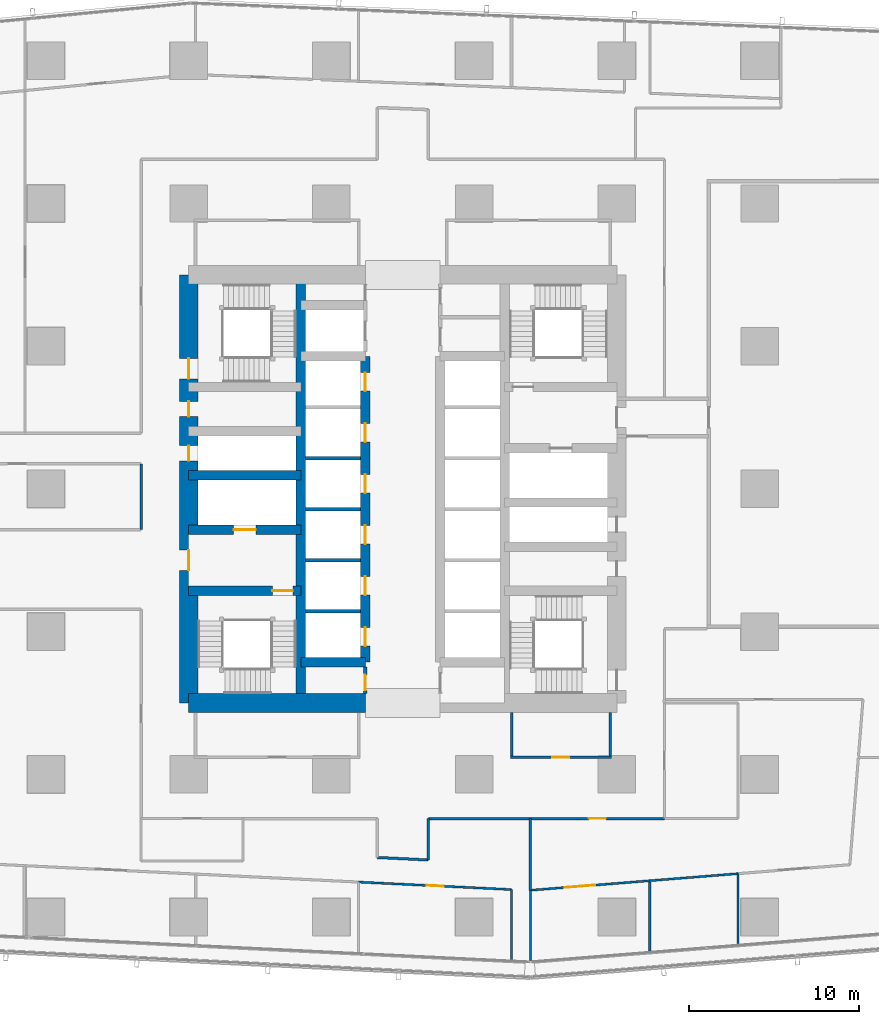
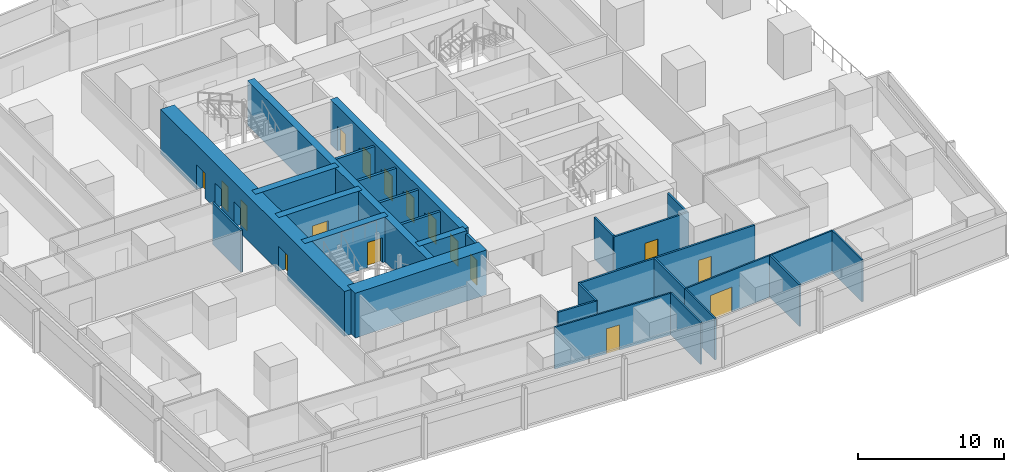
# One storey, part 30 of 42: 29 walls, 17 doors, 17 openings.
"""IFC4 building model written with IfcOpenShell, lengths in metres."""

from ifc_helpers import new_model, si_unit, direction, frame, frame_2d, origin, place, context, subcontext, project, spatial, rectangle, extrude, material, layer, layer_set, type_object, element, fill, save


model = new_model("IFC4")

# Units and contexts
model_context = context("Model", 3, precision=1e-05, world=origin(), true_north=direction((0.0, 1.0)))
body_context = subcontext(model_context, "Body", "Model", "MODEL_VIEW")
ifc_project = project(units=[si_unit("LENGTHUNIT", "METRE"), si_unit("AREAUNIT", "SQUARE_METRE"), si_unit("VOLUMEUNIT", "CUBIC_METRE"), si_unit("PLANEANGLEUNIT", "RADIAN"), si_unit("MASSUNIT", "GRAM", prefix="KILO")], contexts=[model_context])

# Site, building, storey
site_placement = place(None, origin())
site = spatial("IfcSite", under=ifc_project, at=site_placement, CompositionType="ELEMENT")
building_placement = place(site_placement, origin())
building = spatial("IfcBuilding", under=site, at=building_placement, Name="Rekha Terrace Tower", CompositionType="ELEMENT")
storey_placement = place(building_placement, frame((0.0, 0.0, 40.39990234375)))
storey = spatial("IfcBuildingStorey", under=building, at=storey_placement, Name="L09", CompositionType="ELEMENT", Elevation=40.39990234375)

# Wall
ifc_material_1 = material(Name="Concrete M70", Category="concrete")
ifc_layer_1 = layer(ifc_material_1, 0.550048828125)
ifc_layer_set_1 = layer_set([ifc_layer_1], Name="Concrete M70")
wall_type_1 = type_object("IfcWallType", Name="CI1 550 core internal shear wall", PredefinedType="SHEAR", material=ifc_layer_set_1)
wall_1_placement = place(storey_placement, frame((31.800048828125, 21.0, 0.0), z_axis=(0.0, 0.0, 1.0), x_axis=(0.0, 1.0, 0.0)))
element("IfcWall", 1, at=wall_1_placement, inside=storey, type_object=wall_type_1, Name="Core wall X318 L09", PredefinedType="SHEAR", context=body_context, shape_type="SweptSolid", body=[
    extrude(rectangle(XDim=25.199951171875, YDim=0.550048828125, at=frame_2d((12.60009765625, 0.0))), origin(), (0.0, 0.0, 1.0), 3.75),
])

# Wall, openings, doors
wall_2_placement = place(storey_placement, frame((35.60009765625, 23.39990234375, 0.0), z_axis=(0.0, 0.0, 1.0), x_axis=(0.0, 1.0, 0.0)))
wall_2 = element("IfcWall", 2, at=wall_2_placement, inside=storey, type_object=wall_type_1, Name="Core wall X356 L09", PredefinedType="SHEAR", context=body_context, shape_type="SweptSolid", body=[
    extrude(rectangle(XDim=18.0, YDim=0.550048828125, at=frame_2d((9.0, 0.0))), origin(), (0.0, 0.0, 1.0), 3.75),
])
opening_1_placement = place(wall_2_placement, frame((0.949951171875, 0.0, 0.0)))
opening_1 = element("IfcOpeningElement", 3, at=opening_1_placement, cuts=wall_2, Name="Opening LD1", PredefinedType="OPENING", context=body_context, shape_type="SweptSolid", body=[
    extrude(rectangle(XDim=1.10009765625, YDim=2.10009765625, at=frame_2d((0.550048828125, 1.050048828125))), frame((0.0, 0.284912109375, 0.0), z_axis=(0.0, -1.0, 0.0), x_axis=(1.0, 0.0, 0.0)), (0.0, 0.0, 1.0), 0.570068359375),
])
opening_2_placement = place(wall_2_placement, frame((3.949951171875, 0.0, 0.0)))
opening_2 = element("IfcOpeningElement", 4, at=opening_2_placement, cuts=wall_2, Name="Opening LD1", PredefinedType="OPENING", context=body_context, shape_type="SweptSolid", body=[
    extrude(rectangle(XDim=1.10009765625, YDim=2.10009765625, at=frame_2d((0.550048828125, 1.050048828125))), frame((0.0, 0.284912109375, 0.0), z_axis=(0.0, -1.0, 0.0), x_axis=(1.0, 0.0, 0.0)), (0.0, 0.0, 1.0), 0.570068359375),
])
opening_3_placement = place(wall_2_placement, frame((6.949951171875, 0.0, 0.0)))
opening_3 = element("IfcOpeningElement", 5, at=opening_3_placement, cuts=wall_2, Name="Opening LD1", PredefinedType="OPENING", context=body_context, shape_type="SweptSolid", body=[
    extrude(rectangle(XDim=1.10009765625, YDim=2.10009765625, at=frame_2d((0.550048828125, 1.050048828125))), frame((0.0, 0.284912109375, 0.0), z_axis=(0.0, -1.0, 0.0), x_axis=(1.0, 0.0, 0.0)), (0.0, 0.0, 1.0), 0.570068359375),
])
opening_4_placement = place(wall_2_placement, frame((9.949951171875, 0.0, 0.0)))
opening_4 = element("IfcOpeningElement", 6, at=opening_4_placement, cuts=wall_2, Name="Opening LD1", PredefinedType="OPENING", context=body_context, shape_type="SweptSolid", body=[
    extrude(rectangle(XDim=1.10009765625, YDim=2.10009765625, at=frame_2d((0.550048828125, 1.050048828125))), frame((0.0, 0.284912109375, 0.0), z_axis=(0.0, -1.0, 0.0), x_axis=(1.0, 0.0, 0.0)), (0.0, 0.0, 1.0), 0.570068359375),
])
opening_5_placement = place(wall_2_placement, frame((12.949951171875, 0.0, 0.0)))
opening_5 = element("IfcOpeningElement", 7, at=opening_5_placement, cuts=wall_2, Name="Opening LD1", PredefinedType="OPENING", context=body_context, shape_type="SweptSolid", body=[
    extrude(rectangle(XDim=1.10009765625, YDim=2.10009765625, at=frame_2d((0.550048828125, 1.050048828125))), frame((0.0, 0.284912109375, 0.0), z_axis=(0.0, -1.0, 0.0), x_axis=(1.0, 0.0, 0.0)), (0.0, 0.0, 1.0), 0.570068359375),
])
opening_6_placement = place(wall_2_placement, frame((15.949951171875, 0.0, 0.0)))
opening_6 = element("IfcOpeningElement", 8, at=opening_6_placement, cuts=wall_2, Name="Opening LD1", PredefinedType="OPENING", context=body_context, shape_type="SweptSolid", body=[
    extrude(rectangle(XDim=1.10009765625, YDim=2.10009765625, at=frame_2d((0.550048828125, 1.050048828125))), frame((0.0, 0.284912109375, 0.0), z_axis=(0.0, -1.0, 0.0), x_axis=(1.0, 0.0, 0.0)), (0.0, 0.0, 1.0), 0.570068359375),
])
ifc_material_2 = material(Name="Stainless steel sliding landing door", Category="steel")
door_type_1 = type_object("IfcDoorType", Name="LD1 1100x2100 lift landing door", OperationType="SLIDING_TO_LEFT", PredefinedType="USERDEFINED", material=ifc_material_2)
door_1_placement = place(opening_1_placement, origin())
door_1 = element("IfcDoor", 9, at=door_1_placement, inside=storey, type_object=door_type_1, Name="Lift A1 landing door L09", ObjectType="LIFT LANDING DOOR", OperationType="SLIDING_TO_LEFT", OverallHeight=2.10009765625, OverallWidth=1.10009765625, PredefinedType="USERDEFINED", context=body_context, shape_type="SweptSolid", body=[
    extrude(rectangle(XDim=1.10009765625, YDim=2.10009765625, at=frame_2d((0.550048828125, 1.050048828125))), frame((0.0, 0.02490234375, 0.0), z_axis=(0.0, -1.0, 0.0), x_axis=(1.0, 0.0, 0.0)), (0.0, 0.0, 1.0), 0.050048828125),
])
fill(opening_1, door_1)
door_2_placement = place(opening_2_placement, origin())
door_2 = element("IfcDoor", 10, at=door_2_placement, inside=storey, type_object=door_type_1, Name="Lift A2 landing door L09", ObjectType="LIFT LANDING DOOR", OperationType="SLIDING_TO_LEFT", OverallHeight=2.10009765625, OverallWidth=1.10009765625, PredefinedType="USERDEFINED", context=body_context, shape_type="SweptSolid", body=[
    extrude(rectangle(XDim=1.10009765625, YDim=2.10009765625, at=frame_2d((0.550048828125, 1.050048828125))), frame((0.0, 0.02490234375, 0.0), z_axis=(0.0, -1.0, 0.0), x_axis=(1.0, 0.0, 0.0)), (0.0, 0.0, 1.0), 0.050048828125),
])
fill(opening_2, door_2)
door_3_placement = place(opening_3_placement, origin())
door_3 = element("IfcDoor", 11, at=door_3_placement, inside=storey, type_object=door_type_1, Name="Lift A3 landing door L09", ObjectType="LIFT LANDING DOOR", OperationType="SLIDING_TO_LEFT", OverallHeight=2.10009765625, OverallWidth=1.10009765625, PredefinedType="USERDEFINED", context=body_context, shape_type="SweptSolid", body=[
    extrude(rectangle(XDim=1.10009765625, YDim=2.10009765625, at=frame_2d((0.550048828125, 1.050048828125))), frame((0.0, 0.02490234375, 0.0), z_axis=(0.0, -1.0, 0.0), x_axis=(1.0, 0.0, 0.0)), (0.0, 0.0, 1.0), 0.050048828125),
])
fill(opening_3, door_3)
door_4_placement = place(opening_4_placement, origin())
door_4 = element("IfcDoor", 12, at=door_4_placement, inside=storey, type_object=door_type_1, Name="Lift A4 landing door L09", ObjectType="LIFT LANDING DOOR", OperationType="SLIDING_TO_LEFT", OverallHeight=2.10009765625, OverallWidth=1.10009765625, PredefinedType="USERDEFINED", context=body_context, shape_type="SweptSolid", body=[
    extrude(rectangle(XDim=1.10009765625, YDim=2.10009765625, at=frame_2d((0.550048828125, 1.050048828125))), frame((0.0, 0.02490234375, 0.0), z_axis=(0.0, -1.0, 0.0), x_axis=(1.0, 0.0, 0.0)), (0.0, 0.0, 1.0), 0.050048828125),
])
fill(opening_4, door_4)
door_5_placement = place(opening_5_placement, origin())
door_5 = element("IfcDoor", 13, at=door_5_placement, inside=storey, type_object=door_type_1, Name="Lift A5 landing door L09", ObjectType="LIFT LANDING DOOR", OperationType="SLIDING_TO_LEFT", OverallHeight=2.10009765625, OverallWidth=1.10009765625, PredefinedType="USERDEFINED", context=body_context, shape_type="SweptSolid", body=[
    extrude(rectangle(XDim=1.10009765625, YDim=2.10009765625, at=frame_2d((0.550048828125, 1.050048828125))), frame((0.0, 0.02490234375, 0.0), z_axis=(0.0, -1.0, 0.0), x_axis=(1.0, 0.0, 0.0)), (0.0, 0.0, 1.0), 0.050048828125),
])
fill(opening_5, door_5)
door_6_placement = place(opening_6_placement, origin())
door_6 = element("IfcDoor", 14, at=door_6_placement, inside=storey, type_object=door_type_1, Name="Lift A6 landing door L09", ObjectType="LIFT LANDING DOOR", OperationType="SLIDING_TO_LEFT", OverallHeight=2.10009765625, OverallWidth=1.10009765625, PredefinedType="USERDEFINED", context=body_context, shape_type="SweptSolid", body=[
    extrude(rectangle(XDim=1.10009765625, YDim=2.10009765625, at=frame_2d((0.550048828125, 1.050048828125))), frame((0.0, 0.02490234375, 0.0), z_axis=(0.0, -1.0, 0.0), x_axis=(1.0, 0.0, 0.0)), (0.0, 0.0, 1.0), 0.050048828125),
])
fill(opening_6, door_6)

# Wall
wall_3_placement = place(storey_placement, frame((31.800048828125, 23.39990234375, 0.0), z_axis=(0.0, 0.0, 1.0), x_axis=(1.0, 0.0, 0.0)))
element("IfcWall", 15, at=wall_3_placement, inside=storey, type_object=wall_type_1, Name="Core wall Y234W L09", PredefinedType="SHEAR", context=body_context, shape_type="SweptSolid", body=[
    extrude(rectangle(XDim=3.800048828125, YDim=0.550048828125, at=frame_2d((1.89990234375, 0.0))), origin(), (0.0, 0.0, 1.0), 3.75),
])

# Wall, opening, door
wall_4_placement = place(storey_placement, frame((25.199951171875, 27.60009765625, 0.0), z_axis=(0.0, 0.0, 1.0), x_axis=(1.0, 0.0, 0.0)))
wall_4 = element("IfcWall", 16, at=wall_4_placement, inside=storey, type_object=wall_type_1, Name="Core wall Y276W L09", PredefinedType="SHEAR", context=body_context, shape_type="SweptSolid", body=[
    extrude(rectangle(XDim=6.60009765625, YDim=0.550048828125, at=frame_2d((3.300048828125, 0.0))), origin(), (0.0, 0.0, 1.0), 3.75),
])
opening_7_placement = place(wall_4_placement, frame((4.925048828125, 0.0, 0.0)))
opening_7 = element("IfcOpeningElement", 17, at=opening_7_placement, cuts=wall_4, Name="Opening D1", PredefinedType="OPENING", context=body_context, shape_type="SweptSolid", body=[
    extrude(rectangle(XDim=1.199951171875, YDim=2.10009765625, at=frame_2d((0.60009765625, 1.050048828125))), frame((0.0, 0.284912109375, 0.0), z_axis=(0.0, -1.0, 0.0), x_axis=(1.0, 0.0, 0.0)), (0.0, 0.0, 1.0), 0.570068359375),
])
ifc_material_3 = material(Name="Steel fire door", Category="steel")
door_type_2 = type_object("IfcDoorType", Name="D1 1200x2100 stair fire door", OperationType="SINGLE_SWING_RIGHT", PredefinedType="DOOR", material=ifc_material_3)
door_7_placement = place(opening_7_placement, origin())
door_7 = element("IfcDoor", 18, at=door_7_placement, inside=storey, type_object=door_type_2, Name="Stair ST1 door L09", OperationType="SINGLE_SWING_RIGHT", OverallHeight=2.10009765625, OverallWidth=1.199951171875, PredefinedType="DOOR", context=body_context, shape_type="SweptSolid", body=[
    extrude(rectangle(XDim=1.199951171875, YDim=2.10009765625, at=frame_2d((0.60009765625, 1.050048828125))), frame((0.0, 0.02490234375, 0.0), z_axis=(0.0, -1.0, 0.0), x_axis=(1.0, 0.0, 0.0)), (0.0, 0.0, 1.0), 0.050048828125),
])
fill(opening_7, door_7)

wall_5_placement = place(storey_placement, frame((25.199951171875, 31.199951171875, 0.0), z_axis=(0.0, 0.0, 1.0), x_axis=(1.0, 0.0, 0.0)))
wall_5 = element("IfcWall", 19, at=wall_5_placement, inside=storey, type_object=wall_type_1, Name="Core wall Y312W L09", PredefinedType="SHEAR", context=body_context, shape_type="SweptSolid", body=[
    extrude(rectangle(XDim=6.60009765625, YDim=0.550048828125, at=frame_2d((3.300048828125, 0.0))), origin(), (0.0, 0.0, 1.0), 3.75),
])
opening_8_placement = place(wall_5_placement, frame((2.64990234375, 0.0, 0.0)))
opening_8 = element("IfcOpeningElement", 20, at=opening_8_placement, cuts=wall_5, Name="Opening LD2", PredefinedType="OPENING", context=body_context, shape_type="SweptSolid", body=[
    extrude(rectangle(XDim=1.300048828125, YDim=2.10009765625, at=frame_2d((0.64990234375, 1.050048828125))), frame((0.0, 0.284912109375, 0.0), z_axis=(0.0, -1.0, 0.0), x_axis=(1.0, 0.0, 0.0)), (0.0, 0.0, 1.0), 0.570068359375),
])
door_type_3 = type_object("IfcDoorType", Name="LD2 1300x2100 fire lift landing door", OperationType="SLIDING_TO_LEFT", PredefinedType="USERDEFINED", material=ifc_material_2)
door_8_placement = place(opening_8_placement, origin())
door_8 = element("IfcDoor", 21, at=door_8_placement, inside=storey, type_object=door_type_3, Name="Lift FL1 landing door L09", ObjectType="LIFT LANDING DOOR", OperationType="SLIDING_TO_LEFT", OverallHeight=2.10009765625, OverallWidth=1.300048828125, PredefinedType="USERDEFINED", context=body_context, shape_type="SweptSolid", body=[
    extrude(rectangle(XDim=1.300048828125, YDim=2.10009765625, at=frame_2d((0.64990234375, 1.050048828125))), frame((0.0, 0.02490234375, 0.0), z_axis=(0.0, -1.0, 0.0), x_axis=(1.0, 0.0, 0.0)), (0.0, 0.0, 1.0), 0.050048828125),
])
fill(opening_8, door_8)

# Walls
wall_6_placement = place(storey_placement, frame((25.199951171875, 34.39990234375, 0.0), z_axis=(0.0, 0.0, 1.0), x_axis=(1.0, 0.0, 0.0)))
element("IfcWall", 22, at=wall_6_placement, inside=storey, type_object=wall_type_1, Name="Core wall Y344W L09", PredefinedType="SHEAR", context=body_context, shape_type="SweptSolid", body=[
    extrude(rectangle(XDim=6.60009765625, YDim=0.550048828125, at=frame_2d((3.300048828125, 0.0))), origin(), (0.0, 0.0, 1.0), 3.75),
])
ifc_layer_2 = layer(ifc_material_1, 1.10009765625)
ifc_layer_set_2 = layer_set([ifc_layer_2], Name="Concrete M70")
wall_type_2 = type_object("IfcWallType", Name="SW1 1100 core outer shear wall", PredefinedType="SHEAR", material=ifc_layer_set_2)
wall_7_placement = place(storey_placement, frame((25.199951171875, 21.0, 0.0), z_axis=(0.0, 0.0, 1.0), x_axis=(1.0, 0.0, 0.0)))
element("IfcWall", 23, at=wall_7_placement, inside=storey, type_object=wall_type_2, Name="Core wall S1 L09", PredefinedType="SHEAR", context=body_context, shape_type="SweptSolid", body=[
    extrude(rectangle(XDim=10.400146484375, YDim=1.10009765625, at=frame_2d((5.2001953125, 0.0))), origin(), (0.0, 0.0, 1.0), 3.75),
])

# Wall, openings, doors
wall_8_placement = place(storey_placement, frame((25.199951171875, 21.0, 0.0), z_axis=(0.0, 0.0, 1.0), x_axis=(0.0, 1.0, 0.0)))
wall_8 = element("IfcWall", 24, at=wall_8_placement, inside=storey, type_object=wall_type_2, Name="Core wall W L09", PredefinedType="SHEAR", context=body_context, shape_type="SweptSolid", body=[
    extrude(rectangle(XDim=25.199951171875, YDim=1.10009765625, at=frame_2d((12.60009765625, 0.0))), origin(), (0.0, 0.0, 1.0), 3.75),
])
opening_9_placement = place(wall_8_placement, frame((7.800048828125, 0.0, 0.0)))
opening_9 = element("IfcOpeningElement", 25, at=opening_9_placement, cuts=wall_8, Name="Opening D2", PredefinedType="OPENING", context=body_context, shape_type="SweptSolid", body=[
    extrude(rectangle(XDim=1.199951171875, YDim=2.10009765625, at=frame_2d((0.60009765625, 1.050048828125))), frame((0.0, 0.56005859375, 0.0), z_axis=(0.0, -1.0, 0.0), x_axis=(1.0, 0.0, 0.0)), (0.0, 0.0, 1.0), 1.1201171875),
])
opening_10_placement = place(wall_8_placement, frame((14.25, 0.0, 0.0)))
opening_10 = element("IfcOpeningElement", 26, at=opening_10_placement, cuts=wall_8, Name="Opening D5", PredefinedType="OPENING", context=body_context, shape_type="SweptSolid", body=[
    extrude(rectangle(XDim=0.89990234375, YDim=2.10009765625, at=frame_2d((0.449951171875, 1.050048828125))), frame((0.0, 0.56005859375, 0.0), z_axis=(0.0, -1.0, 0.0), x_axis=(1.0, 0.0, 0.0)), (0.0, 0.0, 1.0), 1.1201171875),
])
opening_11_placement = place(wall_8_placement, frame((16.85009765625, 0.0, 0.0)))
opening_11 = element("IfcOpeningElement", 27, at=opening_11_placement, cuts=wall_8, Name="Opening D5", PredefinedType="OPENING", context=body_context, shape_type="SweptSolid", body=[
    extrude(rectangle(XDim=0.89990234375, YDim=2.10009765625, at=frame_2d((0.449951171875, 1.050048828125))), frame((0.0, 0.56005859375, 0.0), z_axis=(0.0, -1.0, 0.0), x_axis=(1.0, 0.0, 0.0)), (0.0, 0.0, 1.0), 1.1201171875),
])
opening_12_placement = place(wall_8_placement, frame((19.074951171875, 0.0, 0.0)))
opening_12 = element("IfcOpeningElement", 28, at=opening_12_placement, cuts=wall_8, Name="Opening D1", PredefinedType="OPENING", context=body_context, shape_type="SweptSolid", body=[
    extrude(rectangle(XDim=1.199951171875, YDim=2.10009765625, at=frame_2d((0.60009765625, 1.050048828125))), frame((0.0, 0.56005859375, 0.0), z_axis=(0.0, -1.0, 0.0), x_axis=(1.0, 0.0, 0.0)), (0.0, 0.0, 1.0), 1.1201171875),
])
door_9_placement = place(opening_12_placement, origin())
door_9 = element("IfcDoor", 29, at=door_9_placement, inside=storey, type_object=door_type_2, Name="Stair ST4 door L09", OperationType="SINGLE_SWING_RIGHT", OverallHeight=2.10009765625, OverallWidth=1.199951171875, PredefinedType="DOOR", context=body_context, shape_type="SweptSolid", body=[
    extrude(rectangle(XDim=1.199951171875, YDim=2.10009765625, at=frame_2d((0.60009765625, 1.050048828125))), frame((0.0, 0.02490234375, 0.0), z_axis=(0.0, -1.0, 0.0), x_axis=(1.0, 0.0, 0.0)), (0.0, 0.0, 1.0), 0.050048828125),
])
fill(opening_12, door_9)
door_type_4 = type_object("IfcDoorType", Name="D2 1200x2100 firefighting lobby door", OperationType="SINGLE_SWING_LEFT", PredefinedType="DOOR", material=ifc_material_3)
door_10_placement = place(opening_9_placement, origin())
door_10 = element("IfcDoor", 30, at=door_10_placement, inside=storey, type_object=door_type_4, Name="Door flb1 L09", OperationType="SINGLE_SWING_LEFT", OverallHeight=2.10009765625, OverallWidth=1.199951171875, PredefinedType="DOOR", context=body_context, shape_type="SweptSolid", body=[
    extrude(rectangle(XDim=1.199951171875, YDim=2.10009765625, at=frame_2d((0.60009765625, 1.050048828125))), frame((0.0, 0.02490234375, 0.0), z_axis=(0.0, -1.0, 0.0), x_axis=(1.0, 0.0, 0.0)), (0.0, 0.0, 1.0), 0.050048828125),
])
fill(opening_9, door_10)
door_type_5 = type_object("IfcDoorType", Name="D5 900x2100 riser access door", OperationType="SINGLE_SWING_LEFT", PredefinedType="DOOR", material=ifc_material_3)
door_11_placement = place(opening_10_placement, origin())
door_11 = element("IfcDoor", 31, at=door_11_placement, inside=storey, type_object=door_type_5, Name="Door rs1 L09", OperationType="SINGLE_SWING_LEFT", OverallHeight=2.10009765625, OverallWidth=0.89990234375, PredefinedType="DOOR", context=body_context, shape_type="SweptSolid", body=[
    extrude(rectangle(XDim=0.89990234375, YDim=2.10009765625, at=frame_2d((0.449951171875, 1.050048828125))), frame((0.0, 0.02490234375, 0.0), z_axis=(0.0, -1.0, 0.0), x_axis=(1.0, 0.0, 0.0)), (0.0, 0.0, 1.0), 0.050048828125),
])
fill(opening_10, door_11)
door_12_placement = place(opening_11_placement, origin())
door_12 = element("IfcDoor", 32, at=door_12_placement, inside=storey, type_object=door_type_5, Name="Door elw L09", OperationType="SINGLE_SWING_LEFT", OverallHeight=2.10009765625, OverallWidth=0.89990234375, PredefinedType="DOOR", context=body_context, shape_type="SweptSolid", body=[
    extrude(rectangle(XDim=0.89990234375, YDim=2.10009765625, at=frame_2d((0.449951171875, 1.050048828125))), frame((0.0, 0.02490234375, 0.0), z_axis=(0.0, -1.0, 0.0), x_axis=(1.0, 0.0, 0.0)), (0.0, 0.0, 1.0), 0.050048828125),
])
fill(opening_11, door_12)

# Wall, opening, door
ifc_material_4 = material(Name="Concrete block masonry, 1 hour", Category="masonry")
ifc_layer_3 = layer(ifc_material_4, 0.14990234375)
ifc_layer_set_3 = layer_set([ifc_layer_3], Name="Concrete block masonry, 1 hour")
wall_type_3 = type_object("IfcWallType", Name="WP2 150 tenancy partition", PredefinedType="PARTITIONING", material=ifc_layer_set_3)
wall_9_placement = place(storey_placement, frame((44.125, 17.800048828125, 0.0), z_axis=(0.0, 0.0, 1.0), x_axis=(1.0, 0.0, 0.0)))
wall_9 = element("IfcWall", 33, at=wall_9_placement, inside=storey, type_object=wall_type_3, Name="Men's WC wall L09", PredefinedType="PARTITIONING", context=body_context, shape_type="SweptSolid", body=[
    extrude(rectangle(XDim=5.949951171875, YDim=0.14990234375, at=frame_2d((2.97509765625, 0.0))), origin(), (0.0, 0.0, 1.0), 3.5),
])
opening_13_placement = place(wall_9_placement, frame((2.47509765625, 0.0, 0.0)))
opening_13 = element("IfcOpeningElement", 34, at=opening_13_placement, cuts=wall_9, Name="Opening D3", PredefinedType="OPENING", context=body_context, shape_type="SweptSolid", body=[
    extrude(rectangle(XDim=1.0, YDim=2.10009765625, at=frame_2d((0.5, 1.050048828125))), frame((0.0, 0.0849609375, 0.0), z_axis=(0.0, -1.0, 0.0), x_axis=(1.0, 0.0, 0.0)), (0.0, 0.0, 1.0), 0.169921875),
])
ifc_material_5 = material(Name="Laminated timber fire door", Category="wood")
door_type_6 = type_object("IfcDoorType", Name="D3 1000x2100 WC door", OperationType="SINGLE_SWING_LEFT", PredefinedType="DOOR", material=ifc_material_5)
door_13_placement = place(opening_13_placement, origin())
door_13 = element("IfcDoor", 35, at=door_13_placement, inside=storey, type_object=door_type_6, Name="Door men's wc L09", OperationType="SINGLE_SWING_LEFT", OverallHeight=2.10009765625, OverallWidth=1.0, PredefinedType="DOOR", context=body_context, shape_type="SweptSolid", body=[
    extrude(rectangle(XDim=1.0, YDim=2.10009765625, at=frame_2d((0.5, 1.050048828125))), frame((0.0, 0.02490234375, 0.0), z_axis=(0.0, -1.0, 0.0), x_axis=(1.0, 0.0, 0.0)), (0.0, 0.0, 1.0), 0.050048828125),
])
fill(opening_13, door_13)

# Walls
for number, where, z_axis, x_axis, name in (
    (36, (44.199951171875, 17.875, 0.0), (0.0, 0.0, 1.0), (0.0, 1.0, 0.0), "Men's WC wall L09"),
    (37, (50.0, 17.875, 0.0), (0.0, 0.0, 1.0), (0.0, 1.0, 0.0), "Men's WC wall L09"),
):
    element("IfcWall", number, at=place(storey_placement, frame(where, z_axis=z_axis, x_axis=x_axis)), inside=storey, type_object=wall_type_3, Name=name, PredefinedType="PARTITIONING", context=body_context, shape_type="SweptSolid", body=[
        extrude(rectangle(XDim=2.574951171875, YDim=0.14990234375, at=frame_2d((1.28759765625, 0.0))), origin(), (0.0, 0.0, 1.0), 3.5),
    ])
wall_10_placement = place(storey_placement, frame((45.304931640625, 9.97802734375, 0.0), z_axis=(0.0, 0.0, 1.0), x_axis=(0.0, 1.0, 0.0)))
element("IfcWall", 38, at=wall_10_placement, inside=storey, type_object=wall_type_3, Name="Partition L09-O1", PredefinedType="PARTITIONING", context=body_context, shape_type="SweptSolid", body=[
    extrude(rectangle(XDim=4.221923828125, YDim=0.14990234375, at=frame_2d((2.11083984375, 0.0))), origin(), (0.0, 0.0, 1.0), 3.5),
])

# Wall, opening, door
wall_11_placement = place(storey_placement, frame((45.304931640625, 14.199951171875, 0.0), z_axis=(0.0, 0.0, 1.0), x_axis=(1.0, 0.0, 0.0)))
wall_11 = element("IfcWall", 39, at=wall_11_placement, inside=storey, type_object=wall_type_3, Name="Partition L09-O1", PredefinedType="PARTITIONING", context=body_context, shape_type="SweptSolid", body=[
    extrude(rectangle(XDim=7.89501953125, YDim=0.14990234375, at=frame_2d((3.947509765625, 0.0))), origin(), (0.0, 0.0, 1.0), 3.5),
])
opening_14_placement = place(wall_11_placement, frame((3.447021484375, 0.0, 0.0)))
opening_14 = element("IfcOpeningElement", 40, at=opening_14_placement, cuts=wall_11, Name="Opening D9", PredefinedType="OPENING", context=body_context, shape_type="SweptSolid", body=[
    extrude(rectangle(XDim=1.0, YDim=2.10009765625, at=frame_2d((0.5, 1.050048828125))), frame((0.0, 0.0849609375, 0.0), z_axis=(0.0, -1.0, 0.0), x_axis=(1.0, 0.0, 0.0)), (0.0, 0.0, 1.0), 0.169921875),
])
ifc_material_6 = material(Name="Timber fire door", Category="wood")
door_type_7 = type_object("IfcDoorType", Name="D9 1000x2100 office door", OperationType="SINGLE_SWING_LEFT", PredefinedType="DOOR", material=ifc_material_6)
door_14_placement = place(opening_14_placement, origin())
door_14 = element("IfcDoor", 41, at=door_14_placement, inside=storey, type_object=door_type_7, Name="Door open-plan office L09", OperationType="SINGLE_SWING_LEFT", OverallHeight=2.10009765625, OverallWidth=1.0, PredefinedType="DOOR", context=body_context, shape_type="SweptSolid", body=[
    extrude(rectangle(XDim=1.0, YDim=2.10009765625, at=frame_2d((0.5, 1.050048828125))), frame((0.0, 0.02490234375, 0.0), z_axis=(0.0, -1.0, 0.0), x_axis=(1.0, 0.0, 0.0)), (0.0, 0.0, 1.0), 0.050048828125),
])
fill(opening_14, door_14)

# Walls
wall_12_placement = place(storey_placement, frame((52.345947265625, 10.47900390625, 0.0), z_axis=(0.0, 0.0, 1.0), x_axis=(0.0, -1.0, 0.0)))
element("IfcWall", 42, at=wall_12_placement, inside=storey, type_object=wall_type_3, Name="Partition L09-O1", PredefinedType="PARTITIONING", context=body_context, shape_type="SweptSolid", body=[
    extrude(rectangle(XDim=4.070068359375, YDim=0.14990234375, at=frame_2d((2.03515625, 0.0))), origin(), (0.0, 0.0, 1.0), 3.5),
])
wall_13_placement = place(storey_placement, frame((22.39990234375, 35.077880859375, 0.0), z_axis=(0.0, 0.0, 1.0), x_axis=(0.0, -1.0, 0.0)))
element("IfcWall", 43, at=wall_13_placement, inside=storey, type_object=wall_type_3, Name="Partition L09-O3b", PredefinedType="PARTITIONING", context=body_context, shape_type="SweptSolid", body=[
    extrude(rectangle(XDim=3.8779296875, YDim=0.14990234375, at=frame_2d((1.93896484375, 0.0))), origin(), (0.0, 0.0, 1.0), 3.5),
])
wall_14_placement = place(storey_placement, frame((36.300048828125, 11.908935546875, 0.0), z_axis=(0.0, 0.0, 1.0), x_axis=(0.998802102454, -0.048932199355, 0.0)))
element("IfcWall", 44, at=wall_14_placement, inside=storey, type_object=wall_type_3, Name="Partition L09-O4", PredefinedType="PARTITIONING", context=body_context, shape_type="SweptSolid", body=[
    extrude(rectangle(XDim=3.003662109375, YDim=0.14990234375, at=frame_2d((1.501953125, 0.0))), origin(), (0.0, 0.0, 1.0), 3.5),
])
wall_15_placement = place(storey_placement, frame((39.300048828125, 11.761962890625, 0.0), z_axis=(0.0, 0.0, 1.0), x_axis=(0.0, 1.0, 0.0)))
element("IfcWall", 45, at=wall_15_placement, inside=storey, type_object=wall_type_3, Name="Partition L09-O4", PredefinedType="PARTITIONING", context=body_context, shape_type="SweptSolid", body=[
    extrude(rectangle(XDim=2.43798828125, YDim=0.14990234375, at=frame_2d((1.218994140625, 0.0))), origin(), (0.0, 0.0, 1.0), 3.5),
])
wall_16_placement = place(storey_placement, frame((39.300048828125, 14.199951171875, 0.0), z_axis=(0.0, 0.0, 1.0), x_axis=(1.0, 0.0, 0.0)))
element("IfcWall", 46, at=wall_16_placement, inside=storey, type_object=wall_type_3, Name="Partition L09-O4", PredefinedType="PARTITIONING", context=body_context, shape_type="SweptSolid", body=[
    extrude(rectangle(XDim=6.00390625, YDim=0.14990234375, at=frame_2d((3.001953125, 0.0))), origin(), (0.0, 0.0, 1.0), 3.5),
])
ifc_material_7 = material(Name="Two layers of fire-rated gypsum board each side on steel studs, acoustic quilt, 1 hour", Category="steel")
ifc_layer_4 = layer(ifc_material_7, 0.125)
ifc_layer_set_4 = layer_set([ifc_layer_4], Name="Two layers of fire-rated gypsum board each side on steel studs, acoustic quilt, 1 hour")
wall_type_4 = type_object("IfcWallType", Name="WP3 125 office partition", PredefinedType="PARTITIONING", material=ifc_layer_set_4)
wall_17_placement = place(storey_placement, frame((45.304931640625, 5.844970703125, 0.0), z_axis=(0.0, 0.0, 1.0), x_axis=(0.0, 1.0, 0.0)))
element("IfcWall", 47, at=wall_17_placement, inside=storey, type_object=wall_type_4, Name="Partition L09-02", PredefinedType="PARTITIONING", context=body_context, shape_type="SweptSolid", body=[
    extrude(rectangle(XDim=4.133056640625, YDim=0.125, at=frame_2d((2.06640625, 0.0))), origin(), (0.0, 0.0, 1.0), 3.5),
])

# Wall, opening, door
wall_18_placement = place(storey_placement, frame((45.304931640625, 9.97802734375, 0.0), z_axis=(0.0, 0.0, 1.0), x_axis=(0.996808462073, 0.079830382311, 0.0)))
wall_18 = element("IfcWall", 48, at=wall_18_placement, inside=storey, type_object=wall_type_4, Name="Partition L09-02", PredefinedType="PARTITIONING", context=body_context, shape_type="SweptSolid", body=[
    extrude(rectangle(XDim=7.064453125, YDim=0.125, at=frame_2d((3.5322265625, 0.0))), origin(), (0.0, 0.0, 1.0), 3.5),
])
opening_15_placement = place(wall_18_placement, frame((2.031982421875, 0.0, 0.0)))
opening_15 = element("IfcOpeningElement", 49, at=opening_15_placement, cuts=wall_18, Name="Opening D8", PredefinedType="OPENING", context=body_context, shape_type="SweptSolid", body=[
    extrude(rectangle(XDim=1.800048828125, YDim=2.10009765625, at=frame_2d((0.89990234375, 1.050048828125))), frame((0.0, 0.072509765625, 0.0), z_axis=(0.0, -1.0, 0.0), x_axis=(1.0, 0.0, 0.0)), (0.0, 0.0, 1.0), 0.14501953125),
])
door_type_8 = type_object("IfcDoorType", Name="D8 1800x2100 double leaf door", OperationType="DOUBLE_DOOR_SINGLE_SWING", PredefinedType="DOOR", material=ifc_material_6)
door_15_placement = place(opening_15_placement, origin())
door_15 = element("IfcDoor", 50, at=door_15_placement, inside=storey, type_object=door_type_8, Name="Door meeting room L09", OperationType="DOUBLE_DOOR_SINGLE_SWING", OverallHeight=2.10009765625, OverallWidth=1.800048828125, PredefinedType="DOOR", context=body_context, shape_type="SweptSolid", body=[
    extrude(rectangle(XDim=1.800048828125, YDim=2.10009765625, at=frame_2d((0.89990234375, 1.050048828125))), frame((0.0, 0.02490234375, 0.0), z_axis=(0.0, -1.0, 0.0), x_axis=(1.0, 0.0, 0.0)), (0.0, 0.0, 1.0), 0.050048828125),
])
fill(opening_15, door_15)

# Walls
wall_19_placement = place(storey_placement, frame((52.346923828125, 10.5419921875, 0.0), z_axis=(0.0, 0.0, 1.0), x_axis=(0.996804212425, 0.079883428139, 0.0)))
element("IfcWall", 51, at=wall_19_placement, inside=storey, type_object=wall_type_4, Name="Partition L09-02", PredefinedType="PARTITIONING", context=body_context, shape_type="SweptSolid", body=[
    extrude(rectangle(XDim=5.195556640625, YDim=0.125, at=frame_2d((2.59765625, 0.0))), origin(), (0.0, 0.0, 1.0), 3.5),
])
wall_20_placement = place(storey_placement, frame((57.52587890625, 10.95703125, 0.0), z_axis=(0.0, 0.0, 1.0), x_axis=(0.0, -1.0, 0.0)))
element("IfcWall", 52, at=wall_20_placement, inside=storey, type_object=wall_type_4, Name="Partition L09-02", PredefinedType="PARTITIONING", context=body_context, shape_type="SweptSolid", body=[
    extrude(rectangle(XDim=4.133056640625, YDim=0.125, at=frame_2d((2.06640625, 0.0))), origin(), (0.0, 0.0, 1.0), 3.5),
])

# Wall, opening, door
wall_21_placement = place(storey_placement, frame((35.199951171875, 10.4619140625, 0.0), z_axis=(0.0, 0.0, 1.0), x_axis=(0.998796017558, -0.049056246385, 0.0)))
wall_21 = element("IfcWall", 53, at=wall_21_placement, inside=storey, type_object=wall_type_4, Name="Partition L09-13", PredefinedType="PARTITIONING", context=body_context, shape_type="SweptSolid", body=[
    extrude(rectangle(XDim=9.0078125, YDim=0.125, at=frame_2d((4.50390625, 0.0))), origin(), (0.0, 0.0, 1.0), 3.5),
])
opening_16_placement = place(wall_21_placement, frame((4.00390625, 0.0, 0.0)))
opening_16 = element("IfcOpeningElement", 54, at=opening_16_placement, cuts=wall_21, Name="Opening D9", PredefinedType="OPENING", context=body_context, shape_type="SweptSolid", body=[
    extrude(rectangle(XDim=1.0, YDim=2.10009765625, at=frame_2d((0.5, 1.050048828125))), frame((0.0, 0.072509765625, 0.0), z_axis=(0.0, -1.0, 0.0), x_axis=(1.0, 0.0, 0.0)), (0.0, 0.0, 1.0), 0.14501953125),
])
door_16_placement = place(opening_16_placement, origin())
door_16 = element("IfcDoor", 55, at=door_16_placement, inside=storey, type_object=door_type_7, Name="Door meeting room L09", OperationType="SINGLE_SWING_LEFT", OverallHeight=2.10009765625, OverallWidth=1.0, PredefinedType="DOOR", context=body_context, shape_type="SweptSolid", body=[
    extrude(rectangle(XDim=1.0, YDim=2.10009765625, at=frame_2d((0.5, 1.050048828125))), frame((0.0, 0.02490234375, 0.0), z_axis=(0.0, -1.0, 0.0), x_axis=(1.0, 0.0, 0.0)), (0.0, 0.0, 1.0), 0.050048828125),
])
fill(opening_16, door_16)

# Walls
wall_22_placement = place(storey_placement, frame((44.197021484375, 10.02001953125, 0.0), z_axis=(0.0, 0.0, 1.0), x_axis=(0.0, -1.0, 0.0)))
element("IfcWall", 56, at=wall_22_placement, inside=storey, type_object=wall_type_4, Name="Partition L09-13", PredefinedType="PARTITIONING", context=body_context, shape_type="SweptSolid", body=[
    extrude(rectangle(XDim=4.155029296875, YDim=0.125, at=frame_2d((2.07763671875, 0.0))), origin(), (0.0, 0.0, 1.0), 3.5),
])
ifc_material_8 = material(Name="Solid concrete block masonry, 2 hour", Category="masonry")
ifc_layer_5 = layer(ifc_material_8, 0.199951171875)
ifc_layer_set_5 = layer_set([ifc_layer_5], Name="Solid concrete block masonry, 2 hour")
wall_type_5 = type_object("IfcWallType", Name="WS1 200 stair and shaft enclosure", PredefinedType="PARTITIONING", material=ifc_layer_set_5)
for number, where, z_axis, x_axis, name in (
    (57, (32.074951171875, 26.39990234375, 0.0), (0.0, 0.0, 1.0), (1.0, 0.0, 0.0), "Lift shaft divider L09"),
    (58, (32.074951171875, 29.39990234375, 0.0), (0.0, 0.0, 1.0), (1.0, 0.0, 0.0), "Lift shaft divider L09"),
    (59, (32.074951171875, 32.39990234375, 0.0), (0.0, 0.0, 1.0), (1.0, 0.0, 0.0), "Lift shaft divider L09"),
    (60, (32.074951171875, 35.39990234375, 0.0), (0.0, 0.0, 1.0), (1.0, 0.0, 0.0), "Lift shaft divider L09"),
):
    element("IfcWall", number, at=place(storey_placement, frame(where, z_axis=z_axis, x_axis=x_axis)), inside=storey, type_object=wall_type_5, Name=name, PredefinedType="PARTITIONING", context=body_context, shape_type="SweptSolid", body=[
        extrude(rectangle(XDim=3.25, YDim=0.199951171875, at=frame_2d((1.625, 0.0))), origin(), (0.0, 0.0, 1.0), 3.5),
    ])

# Wall, opening, door
wall_23_placement = place(storey_placement, frame((35.60009765625, 21.550048828125, 0.0), z_axis=(0.0, 0.0, 1.0), x_axis=(0.0, 1.0, 0.0)))
wall_23 = element("IfcWall", 61, at=wall_23_placement, inside=storey, type_object=wall_type_5, Name="Core partition west L09", PredefinedType="PARTITIONING", context=body_context, shape_type="SweptSolid", body=[
    extrude(rectangle(XDim=1.574951171875, YDim=0.199951171875, at=frame_2d((0.78759765625, 0.0))), origin(), (0.0, 0.0, 1.0), 3.5),
])
opening_17_placement = place(wall_23_placement, frame((0.199951171875, 0.0, 0.0)))
opening_17 = element("IfcOpeningElement", 62, at=opening_17_placement, cuts=wall_23, Name="Opening D5", PredefinedType="OPENING", context=body_context, shape_type="SweptSolid", body=[
    extrude(rectangle(XDim=0.89990234375, YDim=2.10009765625, at=frame_2d((0.449951171875, 1.050048828125))), frame((0.0, 0.10986328125, 0.0), z_axis=(0.0, -1.0, 0.0), x_axis=(1.0, 0.0, 0.0)), (0.0, 0.0, 1.0), 0.219970703125),
])
door_17_placement = place(opening_17_placement, origin())
door_17 = element("IfcDoor", 63, at=door_17_placement, inside=storey, type_object=door_type_5, Name="Door tenant store L09", OperationType="SINGLE_SWING_LEFT", OverallHeight=2.10009765625, OverallWidth=0.89990234375, PredefinedType="DOOR", context=body_context, shape_type="SweptSolid", body=[
    extrude(rectangle(XDim=0.89990234375, YDim=2.10009765625, at=frame_2d((0.449951171875, 1.050048828125))), frame((0.0, 0.02490234375, 0.0), z_axis=(0.0, -1.0, 0.0), x_axis=(1.0, 0.0, 0.0)), (0.0, 0.0, 1.0), 0.050048828125),
])
fill(opening_17, door_17)

save(model, "model.ifc")
